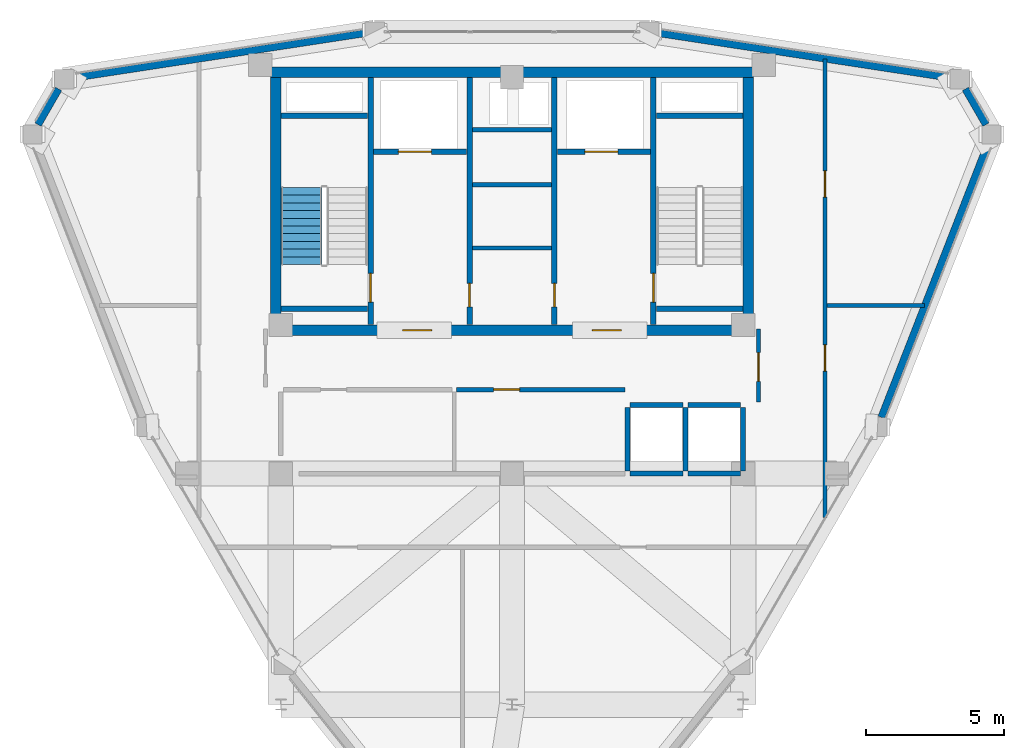
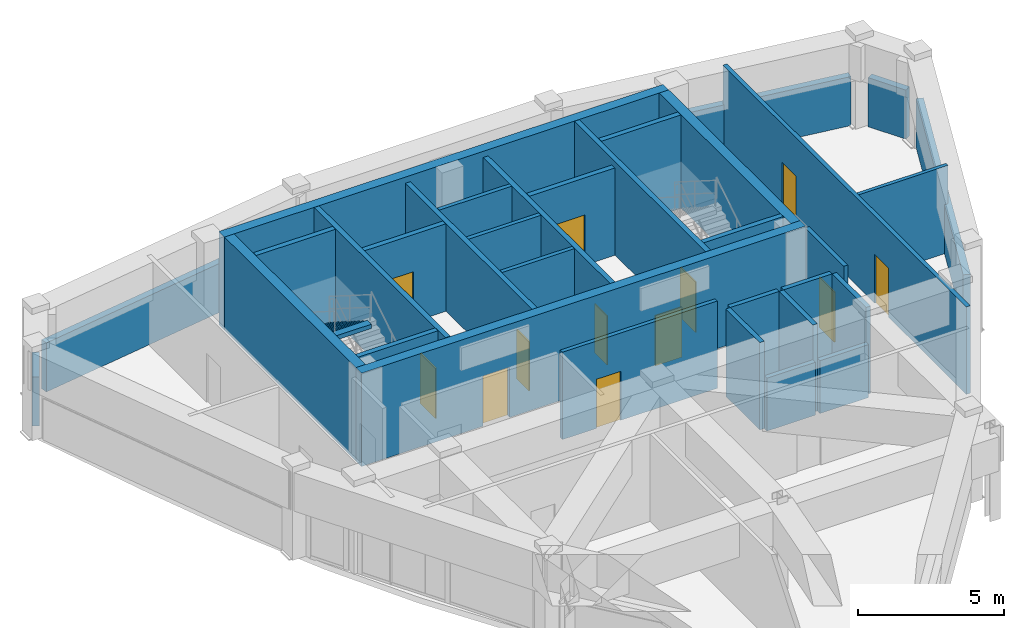
# One storey, part 11 of 13: 33 walls, 12 doors, 1 stair flight, 12 openings, 1 element without a shape of its own.
"""IFC4 building model written with IfcOpenShell, lengths in metres."""

from ifc_helpers import new_model, si_unit, derived_unit, direction, frame, frame_2d, origin, place, context, subcontext, project, spatial, polyline, rectangle, outline, extrude, material, layer, layer_set, type_object, element, fill, aggregate, save


model = new_model("IFC4")

# Units and contexts
model_context = context("Model", 3, precision=1e-05, world=origin(), true_north=direction((0.0, 1.0)))
body_context = subcontext(model_context, "Body", "Model", "MODEL_VIEW")
ifc_project = project(units=[si_unit("LENGTHUNIT", "METRE"), si_unit("AREAUNIT", "SQUARE_METRE"), si_unit("VOLUMEUNIT", "CUBIC_METRE"), si_unit("PLANEANGLEUNIT", "RADIAN"), si_unit("MASSUNIT", "GRAM", prefix="KILO"), derived_unit("THERMALTRANSMITTANCEUNIT", [(si_unit("POWERUNIT", "WATT"), 1), (si_unit("LENGTHUNIT", "METRE"), -2), (si_unit("THERMODYNAMICTEMPERATUREUNIT", "KELVIN"), -1)])], contexts=[model_context])

# Site, building, storey
site_placement = place(None, origin())
site = spatial("IfcSite", under=ifc_project, at=site_placement, CompositionType="ELEMENT")
building_placement = place(site_placement, origin())
building = spatial("IfcBuilding", under=site, at=building_placement, Name="Korsvarv Bourse and Concert Hall", CompositionType="ELEMENT")
storey_placement = place(building_placement, frame((0.0, 0.0, 292.199951171875)))
storey = spatial("IfcBuildingStorey", under=building, at=storey_placement, Name="L76", CompositionType="ELEMENT", Elevation=292.199951171875)

# Wall
ifc_material_1 = material(Name="Concrete C50/60", Category="concrete")
ifc_layer_1 = layer(ifc_material_1, 0.3798828125)
ifc_layer_set_1 = layer_set([ifc_layer_1], Name="Concrete C50/60")
wall_type_1 = type_object("IfcWallType", Name="WL-CORE-380", PredefinedType="SHEAR", material=ifc_layer_set_1)
wall_1_placement = place(storey_placement, frame((27.219970703125, 46.989990234375, 0.0), z_axis=(0.0, 0.0, 1.0), x_axis=(1.0, 0.0, 0.0)))
element("IfcWall", 1, at=wall_1_placement, inside=storey, type_object=wall_type_1, Name="L76 North Core Shear Wall", PredefinedType="SHEAR", context=body_context, shape_type="SweptSolid", body=[
    extrude(rectangle(XDim=17.56005859375, YDim=0.3798828125, at=frame_2d((8.780029296875, 0.0))), origin(), (0.0, 0.0, 1.0), 3.900146484375),
])

# Wall, openings, doors
wall_2_placement = place(storey_placement, frame((27.219970703125, 37.610107421875, 0.0), z_axis=(0.0, 0.0, 1.0), x_axis=(1.0, 0.0, 0.0)))
wall_2 = element("IfcWall", 2, at=wall_2_placement, inside=storey, type_object=wall_type_1, Name="L76 South Core Shear Wall", PredefinedType="SHEAR", context=body_context, shape_type="SweptSolid", body=[
    extrude(rectangle(XDim=17.56005859375, YDim=0.3798828125, at=frame_2d((8.780029296875, 0.0))), origin(), (0.0, 0.0, 1.0), 3.900146484375),
])
opening_1_placement = place(wall_2_placement, frame((4.804931640625, 0.0, 0.0)))
opening_1 = element("IfcOpeningElement", 3, at=opening_1_placement, cuts=wall_2, Name="Opening D-01", PredefinedType="OPENING", context=body_context, shape_type="SweptSolid", body=[
    extrude(rectangle(XDim=1.050048828125, YDim=2.10009765625, at=frame_2d((0.52490234375, 1.050048828125))), frame((0.0, 0.199951171875, 0.0), z_axis=(0.0, -1.0, 0.0), x_axis=(1.0, 0.0, 0.0)), (0.0, 0.0, 1.0), 0.39990234375),
])
opening_2_placement = place(wall_2_placement, frame((11.705078125, 0.0, 0.0)))
opening_2 = element("IfcOpeningElement", 4, at=opening_2_placement, cuts=wall_2, Name="Opening D-01", PredefinedType="OPENING", context=body_context, shape_type="SweptSolid", body=[
    extrude(rectangle(XDim=1.050048828125, YDim=2.10009765625, at=frame_2d((0.52490234375, 1.050048828125))), frame((0.0, 0.199951171875, 0.0), z_axis=(0.0, -1.0, 0.0), x_axis=(1.0, 0.0, 0.0)), (0.0, 0.0, 1.0), 0.39990234375),
])
ifc_material_2 = material(Name="Steel S355 fire door", Category="steel")
door_type_1 = type_object("IfcDoorType", Name="DR-FD60", OperationType="NOTDEFINED", PredefinedType="DOOR", material=ifc_material_2)
door_1_placement = place(opening_1_placement, frame((1.050048828125, 0.0, 0.0), z_axis=(0.0, 0.0, 1.0), x_axis=(-1.0, 0.0, 0.0)))
door_1 = element("IfcDoor", 5, at=door_1_placement, inside=storey, type_object=door_type_1, Name="L76 firefighting lobby fire door DR-L76-FFLW", OperationType="SINGLE_SWING_LEFT", OverallHeight=2.10009765625, OverallWidth=1.050048828125, PredefinedType="DOOR", context=body_context, shape_type="SweptSolid", body=[
    extrude(rectangle(XDim=1.050048828125, YDim=2.10009765625, at=frame_2d((0.52490234375, 1.050048828125))), frame((0.0, 0.02490234375, 0.0), z_axis=(0.0, -1.0, 0.0), x_axis=(1.0, 0.0, 0.0)), (0.0, 0.0, 1.0), 0.050048828125),
])
fill(opening_1, door_1)
door_2_placement = place(opening_2_placement, frame((1.050048828125, 0.0, 0.0), z_axis=(0.0, 0.0, 1.0), x_axis=(-1.0, 0.0, 0.0)))
door_2 = element("IfcDoor", 6, at=door_2_placement, inside=storey, type_object=door_type_1, Name="L76 firefighting lobby fire door DR-L76-FFLE", OperationType="SINGLE_SWING_RIGHT", OverallHeight=2.10009765625, OverallWidth=1.050048828125, PredefinedType="DOOR", context=body_context, shape_type="SweptSolid", body=[
    extrude(rectangle(XDim=1.050048828125, YDim=2.10009765625, at=frame_2d((0.52490234375, 1.050048828125))), frame((0.0, 0.02490234375, 0.0), z_axis=(0.0, -1.0, 0.0), x_axis=(1.0, 0.0, 0.0)), (0.0, 0.0, 1.0), 0.050048828125),
])
fill(opening_2, door_2)

# Walls
for number, where, z_axis, x_axis, name in (
    (7, (27.409912109375, 37.800048828125, 0.0), (0.0, 0.0, 1.0), (0.0, 1.0, 0.0), "L76 West Core Shear Wall"),
    (8, (44.590087890625, 37.800048828125, 0.0), (0.0, 0.0, 1.0), (0.0, 1.0, 0.0), "L76 East Core Shear Wall"),
):
    element("IfcWall", number, at=place(storey_placement, frame(where, z_axis=z_axis, x_axis=x_axis)), inside=storey, type_object=wall_type_1, Name=name, PredefinedType="SHEAR", context=body_context, shape_type="SweptSolid", body=[
        extrude(rectangle(XDim=9.0, YDim=0.3798828125, at=frame_2d((4.5, 0.0))), origin(), (0.0, 0.0, 1.0), 3.900146484375),
    ])

# Wall, opening, door
wall_3_placement = place(storey_placement, frame((30.860107421875, 37.81005859375, 0.0), z_axis=(0.0, 0.0, 1.0), x_axis=(0.0, 1.0, 0.0)))
wall_3 = element("IfcWall", 9, at=wall_3_placement, inside=storey, type_object=wall_type_1, Name="L76 stair shaft structural wall W-L76-ST1-E", PredefinedType="SHEAR", context=body_context, shape_type="SweptSolid", body=[
    extrude(rectangle(XDim=8.97998046875, YDim=0.199951171875, at=frame_2d((4.489990234375, 0.0))), origin(), (0.0, 0.0, 1.0), 3.900146484375),
])
opening_3_placement = place(wall_3_placement, frame((0.820068359375, 0.0, 0.0)))
opening_3 = element("IfcOpeningElement", 10, at=opening_3_placement, cuts=wall_3, Name="Opening D-01", PredefinedType="OPENING", context=body_context, shape_type="SweptSolid", body=[
    extrude(rectangle(XDim=1.050048828125, YDim=2.10009765625, at=frame_2d((0.52490234375, 1.050048828125))), frame((0.0, 0.10986328125, 0.0), z_axis=(0.0, -1.0, 0.0), x_axis=(1.0, 0.0, 0.0)), (0.0, 0.0, 1.0), 0.219970703125),
])
door_3_placement = place(opening_3_placement, origin())
door_3 = element("IfcDoor", 11, at=door_3_placement, inside=storey, type_object=door_type_1, Name="L76 interior door DR-L76-ST1", OperationType="SINGLE_SWING_LEFT", OverallHeight=2.10009765625, OverallWidth=1.050048828125, PredefinedType="DOOR", context=body_context, shape_type="SweptSolid", body=[
    extrude(rectangle(XDim=1.050048828125, YDim=2.10009765625, at=frame_2d((0.52490234375, 1.050048828125))), frame((0.0, 0.02490234375, 0.0), z_axis=(0.0, -1.0, 0.0), x_axis=(1.0, 0.0, 0.0)), (0.0, 0.0, 1.0), 0.050048828125),
])
fill(opening_3, door_3)

# Walls
for number, where, z_axis, x_axis, name in (
    (12, (27.610107421875, 45.39990234375, 0.0), (0.0, 0.0, 1.0), (1.0, 0.0, 0.0), "L76 stair shaft structural wall W-L76-ST1-N"),
    (13, (27.610107421875, 38.39990234375, 0.0), (0.0, 0.0, 1.0), (1.0, 0.0, 0.0), "L76 stair shaft structural wall W-L76-ST1-S"),
):
    element("IfcWall", number, at=place(storey_placement, frame(where, z_axis=z_axis, x_axis=x_axis)), inside=storey, type_object=wall_type_1, Name=name, PredefinedType="SHEAR", context=body_context, shape_type="SweptSolid", body=[
        extrude(rectangle(XDim=3.139892578125, YDim=0.199951171875, at=frame_2d((1.56982421875, 0.0))), origin(), (0.0, 0.0, 1.0), 3.900146484375),
    ])

# Wall, opening, door
wall_4_placement = place(storey_placement, frame((41.139892578125, 37.81005859375, 0.0), z_axis=(0.0, 0.0, 1.0), x_axis=(0.0, 1.0, 0.0)))
wall_4 = element("IfcWall", 14, at=wall_4_placement, inside=storey, type_object=wall_type_1, Name="L76 stair shaft structural wall W-L76-ST2-W", PredefinedType="SHEAR", context=body_context, shape_type="SweptSolid", body=[
    extrude(rectangle(XDim=8.97998046875, YDim=0.199951171875, at=frame_2d((4.489990234375, 0.0))), origin(), (0.0, 0.0, 1.0), 3.900146484375),
])
opening_4_placement = place(wall_4_placement, frame((0.820068359375, 0.0, 0.0)))
opening_4 = element("IfcOpeningElement", 15, at=opening_4_placement, cuts=wall_4, Name="Opening D-01", PredefinedType="OPENING", context=body_context, shape_type="SweptSolid", body=[
    extrude(rectangle(XDim=1.050048828125, YDim=2.10009765625, at=frame_2d((0.52490234375, 1.050048828125))), frame((0.0, 0.10986328125, 0.0), z_axis=(0.0, -1.0, 0.0), x_axis=(1.0, 0.0, 0.0)), (0.0, 0.0, 1.0), 0.219970703125),
])
door_4_placement = place(opening_4_placement, frame((1.050048828125, 0.0, 0.0), z_axis=(0.0, 0.0, 1.0), x_axis=(-1.0, 0.0, 0.0)))
door_4 = element("IfcDoor", 16, at=door_4_placement, inside=storey, type_object=door_type_1, Name="L76 interior door DR-L76-ST2", OperationType="SINGLE_SWING_RIGHT", OverallHeight=2.10009765625, OverallWidth=1.050048828125, PredefinedType="DOOR", context=body_context, shape_type="SweptSolid", body=[
    extrude(rectangle(XDim=1.050048828125, YDim=2.10009765625, at=frame_2d((0.52490234375, 1.050048828125))), frame((0.0, 0.02490234375, 0.0), z_axis=(0.0, -1.0, 0.0), x_axis=(1.0, 0.0, 0.0)), (0.0, 0.0, 1.0), 0.050048828125),
])
fill(opening_4, door_4)

# Walls
for number, where, z_axis, x_axis, name in (
    (17, (41.25, 45.39990234375, 0.0), (0.0, 0.0, 1.0), (1.0, 0.0, 0.0), "L76 stair shaft structural wall W-L76-ST2-N"),
    (18, (41.25, 38.39990234375, 0.0), (0.0, 0.0, 1.0), (1.0, 0.0, 0.0), "L76 stair shaft structural wall W-L76-ST2-S"),
):
    element("IfcWall", number, at=place(storey_placement, frame(where, z_axis=z_axis, x_axis=x_axis)), inside=storey, type_object=wall_type_1, Name=name, PredefinedType="SHEAR", context=body_context, shape_type="SweptSolid", body=[
        extrude(rectangle(XDim=3.139892578125, YDim=0.199951171875, at=frame_2d((1.56982421875, 0.0))), origin(), (0.0, 0.0, 1.0), 3.900146484375),
    ])
ifc_material_3 = material(Name="Insulated aluminium and terracotta crown enclosure wall", Category="concrete")
ifc_layer_2 = layer(ifc_material_3, 0.260009765625)
ifc_layer_set_2 = layer_set([ifc_layer_2], Name="Insulated aluminium and terracotta crown enclosure wall")
wall_type_2 = type_object("IfcWallType", Name="WL-EXT-CRN", PredefinedType="SOLIDWALL", material=ifc_layer_set_2)
wall_5_placement = place(storey_placement, frame((53.22802734375, 45.08251953125, 0.0), z_axis=(0.0, 0.0, 1.0), x_axis=(-0.499910707084, 0.866076950936, 0.0)))
element("IfcWall", 19, at=wall_5_placement, inside=storey, type_object=wall_type_2, Name="L76 terracotta exterior wall EW-L76-CRN01", PredefinedType="SOLIDWALL", context=body_context, shape_type="SweptSolid", body=[
    extrude(rectangle(XDim=1.496826171875, YDim=0.260009765625, at=frame_2d((0.74853515625, 0.0))), origin(), (0.0, 0.0, 1.0), 2.050048828125),
])
for number, where, z_axis, x_axis, name in (
    (20, (51.919677734375, 46.7880859375, 0.0), (0.0, 0.0, 1.0), (-0.988478819852, 0.151359250475, 0.0), "L76 terracotta exterior wall EW-L76-CRN02"),
    (21, (30.656005859375, 48.407470703125, 0.0), (0.0, 0.0, 1.0), (-0.988478819852, -0.151359250475, 0.0), "L76 terracotta exterior wall EW-L76-CRN04"),
):
    element("IfcWall", number, at=place(storey_placement, frame(where, z_axis=z_axis, x_axis=x_axis)), inside=storey, type_object=wall_type_2, Name=name, PredefinedType="SOLIDWALL", context=body_context, shape_type="SweptSolid", body=[
        extrude(rectangle(XDim=10.698974609375, YDim=0.260009765625, at=frame_2d((5.349609375, 0.0))), origin(), (0.0, 0.0, 1.0), 2.050048828125),
    ])
wall_6_placement = place(storey_placement, frame((19.520263671875, 46.37890625, 0.0), z_axis=(0.0, 0.0, 1.0), x_axis=(-0.499910707084, -0.866076950936, 0.0)))
element("IfcWall", 22, at=wall_6_placement, inside=storey, type_object=wall_type_2, Name="L76 terracotta exterior wall EW-L76-CRN05", PredefinedType="SOLIDWALL", context=body_context, shape_type="SweptSolid", body=[
    extrude(rectangle(XDim=1.496826171875, YDim=0.260009765625, at=frame_2d((0.74853515625, 0.0))), origin(), (0.0, 0.0, 1.0), 2.050048828125),
])
wall_7_placement = place(storey_placement, frame((49.42529296875, 34.444580078125, 0.0), z_axis=(0.0, 0.0, 1.0), x_axis=(0.363147184015, 0.931731786912, 0.0)))
element("IfcWall", 23, at=wall_7_placement, inside=storey, type_object=wall_type_2, Name="L76 terracotta exterior wall EW-L76-CRN12", PredefinedType="SOLIDWALL", context=body_context, shape_type="SweptSolid", body=[
    extrude(rectangle(XDim=10.655029296875, YDim=0.260009765625, at=frame_2d((5.32763671875, 0.0))), origin(), (0.0, 0.0, 1.0), 2.050048828125),
])

# Wall, opening, door
ifc_material_4 = material(Name="Reinforced concrete blockwork C35/45 fire wall", Category="concrete")
ifc_layer_3 = layer(ifc_material_4, 0.199951171875)
ifc_layer_set_3 = layer_set([ifc_layer_3], Name="Reinforced concrete blockwork C35/45 fire wall")
wall_type_3 = type_object("IfcWallType", Name="WL-INT-EI120", PredefinedType="PARTITIONING", material=ifc_layer_set_3)
wall_8_placement = place(storey_placement, frame((30.969970703125, 44.10009765625, 0.0), z_axis=(0.0, 0.0, 1.0), x_axis=(1.0, 0.0, 0.0)))
wall_8 = element("IfcWall", 24, at=wall_8_placement, inside=storey, type_object=wall_type_3, Name="L76 interior partition wall W-L76-FF1-S", PredefinedType="PARTITIONING", context=body_context, shape_type="SweptSolid", body=[
    extrude(rectangle(XDim=3.380126953125, YDim=0.199951171875, at=frame_2d((1.68994140625, 0.0))), origin(), (0.0, 0.0, 1.0), 3.650146484375),
])
opening_5_placement = place(wall_8_placement, frame((0.89990234375, 0.0, 0.0)))
opening_5 = element("IfcOpeningElement", 25, at=opening_5_placement, cuts=wall_8, Name="Opening LD-1", PredefinedType="OPENING", context=body_context, shape_type="SweptSolid", body=[
    extrude(rectangle(XDim=1.199951171875, YDim=2.10009765625, at=frame_2d((0.60009765625, 1.050048828125))), frame((0.0, 0.10986328125, 0.0), z_axis=(0.0, -1.0, 0.0), x_axis=(1.0, 0.0, 0.0)), (0.0, 0.0, 1.0), 0.219970703125),
])
ifc_material_5 = material(Name="Stainless Steel S355 firefighting lift landing door", Category="steel")
door_type_2 = type_object("IfcDoorType", Name="DR-LIFT-FF", OperationType="DOUBLE_DOOR_SLIDING", PredefinedType="DOOR", material=ifc_material_5)
door_5_placement = place(opening_5_placement, origin())
door_5 = element("IfcDoor", 26, at=door_5_placement, inside=storey, type_object=door_type_2, Name="L76 lift sliding landing door LD-L76-FF1", OperationType="DOUBLE_DOOR_SLIDING", OverallHeight=2.10009765625, OverallWidth=1.199951171875, PredefinedType="DOOR", context=body_context, shape_type="SweptSolid", body=[
    extrude(rectangle(XDim=1.199951171875, YDim=2.10009765625, at=frame_2d((0.60009765625, 1.050048828125))), frame((0.0, 0.02490234375, 0.0), z_axis=(0.0, -1.0, 0.0), x_axis=(1.0, 0.0, 0.0)), (0.0, 0.0, 1.0), 0.050048828125),
])
fill(opening_5, door_5)

wall_9_placement = place(storey_placement, frame((37.64990234375, 44.10009765625, 0.0), z_axis=(0.0, 0.0, 1.0), x_axis=(1.0, 0.0, 0.0)))
wall_9 = element("IfcWall", 27, at=wall_9_placement, inside=storey, type_object=wall_type_3, Name="L76 interior partition wall W-L76-FF2-S", PredefinedType="PARTITIONING", context=body_context, shape_type="SweptSolid", body=[
    extrude(rectangle(XDim=3.380126953125, YDim=0.199951171875, at=frame_2d((1.68994140625, 0.0))), origin(), (0.0, 0.0, 1.0), 3.650146484375),
])
opening_6_placement = place(wall_9_placement, frame((1.0, 0.0, 0.0)))
opening_6 = element("IfcOpeningElement", 28, at=opening_6_placement, cuts=wall_9, Name="Opening LD-1", PredefinedType="OPENING", context=body_context, shape_type="SweptSolid", body=[
    extrude(rectangle(XDim=1.199951171875, YDim=2.10009765625, at=frame_2d((0.60009765625, 1.050048828125))), frame((0.0, 0.10986328125, 0.0), z_axis=(0.0, -1.0, 0.0), x_axis=(1.0, 0.0, 0.0)), (0.0, 0.0, 1.0), 0.219970703125),
])
door_6_placement = place(opening_6_placement, origin())
door_6 = element("IfcDoor", 29, at=door_6_placement, inside=storey, type_object=door_type_2, Name="L76 lift sliding landing door LD-L76-FF2", OperationType="DOUBLE_DOOR_SLIDING", OverallHeight=2.10009765625, OverallWidth=1.199951171875, PredefinedType="DOOR", context=body_context, shape_type="SweptSolid", body=[
    extrude(rectangle(XDim=1.199951171875, YDim=2.10009765625, at=frame_2d((0.60009765625, 1.050048828125))), frame((0.0, 0.02490234375, 0.0), z_axis=(0.0, -1.0, 0.0), x_axis=(1.0, 0.0, 0.0)), (0.0, 0.0, 1.0), 0.050048828125),
])
fill(opening_6, door_6)

wall_10_placement = place(storey_placement, frame((34.4599609375, 37.81005859375, 0.0), z_axis=(0.0, 0.0, 1.0), x_axis=(0.0, 1.0, 0.0)))
wall_10 = element("IfcWall", 30, at=wall_10_placement, inside=storey, type_object=wall_type_3, Name="L76 interior partition wall W-L76-CSB-W", PredefinedType="PARTITIONING", context=body_context, shape_type="SweptSolid", body=[
    extrude(rectangle(XDim=8.97998046875, YDim=0.199951171875, at=frame_2d((4.489990234375, 0.0))), origin(), (0.0, 0.0, 1.0), 3.650146484375),
])
opening_7_placement = place(wall_10_placement, frame((0.64990234375, 0.0, 0.0)))
opening_7 = element("IfcOpeningElement", 31, at=opening_7_placement, cuts=wall_10, Name="Opening D-05", PredefinedType="OPENING", context=body_context, shape_type="SweptSolid", body=[
    extrude(rectangle(XDim=0.85009765625, YDim=2.050048828125, at=frame_2d((0.425048828125, 1.02490234375))), frame((0.0, 0.10986328125, 0.0), z_axis=(0.0, -1.0, 0.0), x_axis=(1.0, 0.0, 0.0)), (0.0, 0.0, 1.0), 0.219970703125),
])
door_type_3 = type_object("IfcDoorType", Name="DR-FD60-850X2050", OperationType="NOTDEFINED", PredefinedType="DOOR", material=ifc_material_2)
door_7_placement = place(opening_7_placement, frame((0.85009765625, 0.0, 0.0), z_axis=(0.0, 0.0, 1.0), x_axis=(-1.0, 0.0, 0.0)))
door_7 = element("IfcDoor", 32, at=door_7_placement, inside=storey, type_object=door_type_3, Name="L76 interior door DR-L76-CSB1", OperationType="SINGLE_SWING_LEFT", OverallHeight=2.050048828125, OverallWidth=0.85009765625, PredefinedType="DOOR", context=body_context, shape_type="SweptSolid", body=[
    extrude(rectangle(XDim=0.85009765625, YDim=2.050048828125, at=frame_2d((0.425048828125, 1.02490234375))), frame((0.0, 0.02490234375, 0.0), z_axis=(0.0, -1.0, 0.0), x_axis=(1.0, 0.0, 0.0)), (0.0, 0.0, 1.0), 0.050048828125),
])
fill(opening_7, door_7)

wall_11_placement = place(storey_placement, frame((37.5400390625, 37.81005859375, 0.0), z_axis=(0.0, 0.0, 1.0), x_axis=(0.0, 1.0, 0.0)))
wall_11 = element("IfcWall", 33, at=wall_11_placement, inside=storey, type_object=wall_type_3, Name="L76 interior partition wall W-L76-CSB-E", PredefinedType="PARTITIONING", context=body_context, shape_type="SweptSolid", body=[
    extrude(rectangle(XDim=8.97998046875, YDim=0.199951171875, at=frame_2d((4.489990234375, 0.0))), origin(), (0.0, 0.0, 1.0), 3.650146484375),
])
opening_8_placement = place(wall_11_placement, frame((0.64990234375, 0.0, 0.0)))
opening_8 = element("IfcOpeningElement", 34, at=opening_8_placement, cuts=wall_11, Name="Opening D-05", PredefinedType="OPENING", context=body_context, shape_type="SweptSolid", body=[
    extrude(rectangle(XDim=0.85009765625, YDim=2.050048828125, at=frame_2d((0.425048828125, 1.02490234375))), frame((0.0, 0.10986328125, 0.0), z_axis=(0.0, -1.0, 0.0), x_axis=(1.0, 0.0, 0.0)), (0.0, 0.0, 1.0), 0.219970703125),
])
door_8_placement = place(opening_8_placement, origin())
door_8 = element("IfcDoor", 35, at=door_8_placement, inside=storey, type_object=door_type_3, Name="L76 interior door DR-L76-CSB2", OperationType="SINGLE_SWING_RIGHT", OverallHeight=2.050048828125, OverallWidth=0.85009765625, PredefinedType="DOOR", context=body_context, shape_type="SweptSolid", body=[
    extrude(rectangle(XDim=0.85009765625, YDim=2.050048828125, at=frame_2d((0.425048828125, 1.02490234375))), frame((0.0, 0.02490234375, 0.0), z_axis=(0.0, -1.0, 0.0), x_axis=(1.0, 0.0, 0.0)), (0.0, 0.0, 1.0), 0.050048828125),
])
fill(opening_8, door_8)

# Walls
ifc_material_6 = material(Name="Double-stud fire-rated acoustic partition", Category="gypsum")
ifc_layer_4 = layer(ifc_material_6, 0.159912109375)
ifc_layer_set_4 = layer_set([ifc_layer_4], Name="Double-stud fire-rated acoustic partition")
wall_type_4 = type_object("IfcWallType", Name="WL-INT-EI60", PredefinedType="PARTITIONING", material=ifc_layer_set_4)
for number, where, z_axis, x_axis, name in (
    (36, (34.570068359375, 40.60009765625, 0.0), (0.0, 0.0, 1.0), (1.0, 0.0, 0.0), "L76 interior partition wall W-L76-K1"),
    (37, (34.570068359375, 42.89990234375, 0.0), (0.0, 0.0, 1.0), (1.0, 0.0, 0.0), "L76 interior partition wall W-L76-K2"),
    (38, (34.570068359375, 44.89990234375, 0.0), (0.0, 0.0, 1.0), (1.0, 0.0, 0.0), "L76 interior partition wall W-L76-K3"),
):
    element("IfcWall", number, at=place(storey_placement, frame(where, z_axis=z_axis, x_axis=x_axis)), inside=storey, type_object=wall_type_4, Name=name, PredefinedType="PARTITIONING", context=body_context, shape_type="SweptSolid", body=[
        extrude(rectangle(XDim=2.85986328125, YDim=0.159912109375, at=frame_2d((1.429931640625, 0.0))), origin(), (0.0, 0.0, 1.0), 3.650146484375),
    ])

# Wall, opening, door
wall_12_placement = place(storey_placement, frame((33.97998046875, 35.449951171875, 0.0), z_axis=(0.0, 0.0, 1.0), x_axis=(1.0, 0.0, 0.0)))
wall_12 = element("IfcWall", 39, at=wall_12_placement, inside=storey, type_object=wall_type_4, Name="L76 interior partition wall W-L76-FRD-N2", PredefinedType="PARTITIONING", context=body_context, shape_type="SweptSolid", body=[
    extrude(rectangle(XDim=6.1201171875, YDim=0.159912109375, at=frame_2d((3.06005859375, 0.0))), origin(), (0.0, 0.0, 1.0), 3.650146484375),
])
opening_9_placement = place(wall_12_placement, frame((1.35009765625, 0.0, 0.0)))
opening_9 = element("IfcOpeningElement", 40, at=opening_9_placement, cuts=wall_12, Name="Opening D-03", PredefinedType="OPENING", context=body_context, shape_type="SweptSolid", body=[
    extrude(rectangle(XDim=0.949951171875, YDim=2.050048828125, at=frame_2d((0.47509765625, 1.02490234375))), frame((0.0, 0.08984375, 0.0), z_axis=(0.0, -1.0, 0.0), x_axis=(1.0, 0.0, 0.0)), (0.0, 0.0, 1.0), 0.179931640625),
])
ifc_material_7 = material(Name="Nordic oak acoustic office door", Category="wood")
door_type_4 = type_object("IfcDoorType", Name="DR-INT-1", OperationType="NOTDEFINED", PredefinedType="DOOR", material=ifc_material_7)
door_9_placement = place(opening_9_placement, origin())
door_9 = element("IfcDoor", 41, at=door_9_placement, inside=storey, type_object=door_type_4, Name="L76 interior door DR-L76-FRDN2", OperationType="SINGLE_SWING_RIGHT", OverallHeight=2.050048828125, OverallWidth=0.949951171875, PredefinedType="DOOR", context=body_context, shape_type="SweptSolid", body=[
    extrude(rectangle(XDim=0.949951171875, YDim=2.050048828125, at=frame_2d((0.47509765625, 1.02490234375))), frame((0.0, 0.02490234375, 0.0), z_axis=(0.0, -1.0, 0.0), x_axis=(1.0, 0.0, 0.0)), (0.0, 0.0, 1.0), 0.050048828125),
])
fill(opening_9, door_9)

wall_13_placement = place(storey_placement, frame((44.9599609375, 35.0, 0.0), z_axis=(0.0, 0.0, 1.0), x_axis=(0.0, 1.0, 0.0)))
wall_13 = element("IfcWall", 42, at=wall_13_placement, inside=storey, type_object=wall_type_4, Name="L76 interior partition wall W-L76-LOB-E", PredefinedType="PARTITIONING", context=body_context, shape_type="SweptSolid", body=[
    extrude(rectangle(XDim=2.64990234375, YDim=0.159912109375, at=frame_2d((1.324951171875, 0.0))), origin(), (0.0, 0.0, 1.0), 3.650146484375),
])
opening_10_placement = place(wall_13_placement, frame((0.75, 0.0, 0.0)))
opening_10 = element("IfcOpeningElement", 43, at=opening_10_placement, cuts=wall_13, Name="Opening D-01", PredefinedType="OPENING", context=body_context, shape_type="SweptSolid", body=[
    extrude(rectangle(XDim=1.050048828125, YDim=2.10009765625, at=frame_2d((0.52490234375, 1.050048828125))), frame((0.0, 0.08984375, 0.0), z_axis=(0.0, -1.0, 0.0), x_axis=(1.0, 0.0, 0.0)), (0.0, 0.0, 1.0), 0.179931640625),
])
door_10_placement = place(opening_10_placement, origin())
door_10 = element("IfcDoor", 44, at=door_10_placement, inside=storey, type_object=door_type_1, Name="L76 interior door DR-L76-LOBE", OperationType="SINGLE_SWING_RIGHT", OverallHeight=2.10009765625, OverallWidth=1.050048828125, PredefinedType="DOOR", context=body_context, shape_type="SweptSolid", body=[
    extrude(rectangle(XDim=1.050048828125, YDim=2.10009765625, at=frame_2d((0.52490234375, 1.050048828125))), frame((0.0, 0.02490234375, 0.0), z_axis=(0.0, -1.0, 0.0), x_axis=(1.0, 0.0, 0.0)), (0.0, 0.0, 1.0), 0.050048828125),
])
fill(opening_10, door_10)

# Wall, openings, doors
wall_14_placement = place(storey_placement, frame((47.375, 30.79833984375, 0.0), z_axis=(0.0, 0.0, 1.0), x_axis=(0.0, 1.0, 0.0)))
wall_14 = element("IfcWall", 45, at=wall_14_placement, inside=storey, type_object=wall_type_4, Name="L76 interior partition wall W-L76-CCOR-02", PredefinedType="PARTITIONING", context=body_context, shape_type="SweptSolid", body=[
    extrude(rectangle(XDim=16.665771484375, YDim=0.159912109375, at=frame_2d((8.3330078125, 0.0))), origin(), (0.0, 0.0, 1.0), 3.650146484375),
])
opening_11_placement = place(wall_14_placement, frame((5.3291015625, 0.0, 0.0)))
opening_11 = element("IfcOpeningElement", 46, at=opening_11_placement, cuts=wall_14, Name="Opening D-02", PredefinedType="OPENING", context=body_context, shape_type="SweptSolid", body=[
    extrude(rectangle(XDim=0.949951171875, YDim=2.050048828125, at=frame_2d((0.47509765625, 1.02490234375))), frame((0.0, 0.08984375, 0.0), z_axis=(0.0, -1.0, 0.0), x_axis=(1.0, 0.0, 0.0)), (0.0, 0.0, 1.0), 0.179931640625),
])
opening_12_placement = place(wall_14_placement, frame((11.65380859375, 0.0, 0.0)))
opening_12 = element("IfcOpeningElement", 47, at=opening_12_placement, cuts=wall_14, Name="Opening D-02", PredefinedType="OPENING", context=body_context, shape_type="SweptSolid", body=[
    extrude(rectangle(XDim=0.949951171875, YDim=2.050048828125, at=frame_2d((0.47509765625, 1.02490234375))), frame((0.0, 0.08984375, 0.0), z_axis=(0.0, -1.0, 0.0), x_axis=(1.0, 0.0, 0.0)), (0.0, 0.0, 1.0), 0.179931640625),
])
ifc_material_8 = material(Name="Timber and steel acoustic fire door", Category="wood")
door_type_5 = type_object("IfcDoorType", Name="DR-FD30", OperationType="NOTDEFINED", PredefinedType="DOOR", material=ifc_material_8)
door_11_placement = place(opening_11_placement, origin())
door_11 = element("IfcDoor", 48, at=door_11_placement, inside=storey, type_object=door_type_5, Name="L76 interior door DR-L76-CCOR-CPL21", OperationType="SINGLE_SWING_LEFT", OverallHeight=2.050048828125, OverallWidth=0.949951171875, PredefinedType="DOOR", context=body_context, shape_type="SweptSolid", body=[
    extrude(rectangle(XDim=0.949951171875, YDim=2.050048828125, at=frame_2d((0.47509765625, 1.02490234375))), frame((0.0, 0.02490234375, 0.0), z_axis=(0.0, -1.0, 0.0), x_axis=(1.0, 0.0, 0.0)), (0.0, 0.0, 1.0), 0.050048828125),
])
fill(opening_11, door_11)
door_12_placement = place(opening_12_placement, origin())
door_12 = element("IfcDoor", 49, at=door_12_placement, inside=storey, type_object=door_type_5, Name="L76 interior door DR-L76-CCOR-RM22", OperationType="SINGLE_SWING_RIGHT", OverallHeight=2.050048828125, OverallWidth=0.949951171875, PredefinedType="DOOR", context=body_context, shape_type="SweptSolid", body=[
    extrude(rectangle(XDim=0.949951171875, YDim=2.050048828125, at=frame_2d((0.47509765625, 1.02490234375))), frame((0.0, 0.02490234375, 0.0), z_axis=(0.0, -1.0, 0.0), x_axis=(1.0, 0.0, 0.0)), (0.0, 0.0, 1.0), 0.050048828125),
])
fill(opening_12, door_12)

# Walls
ifc_material_9 = material(Name="Gypsum-clad autoclaved concrete shaft wall C30/37", Category="concrete")
ifc_layer_5 = layer(ifc_material_9, 0.179931640625)
ifc_layer_set_5 = layer_set([ifc_layer_5], Name="Gypsum-clad autoclaved concrete shaft wall C30/37")
wall_type_5 = type_object("IfcWallType", Name="WL-INT-EI90", PredefinedType="PARTITIONING", material=ifc_layer_set_5)
wall_15_placement = place(storey_placement, frame((40.2900390625, 34.89990234375, 0.0), z_axis=(0.0, 0.0, 1.0), x_axis=(1.0, 0.0, 0.0)))
element("IfcWall", 50, at=wall_15_placement, inside=storey, type_object=wall_type_5, Name="L76 interior partition wall W-L76-SHFN-PO1", PredefinedType="PARTITIONING", context=body_context, shape_type="SweptSolid", body=[
    extrude(rectangle(XDim=1.919921875, YDim=0.179931640625, at=frame_2d((0.9599609375, 0.0))), origin(), (0.0, 0.0, 1.0), 3.650146484375),
])
wall_16_placement = place(storey_placement, frame((40.2900390625, 32.39990234375, 0.0), z_axis=(0.0, 0.0, 1.0), x_axis=(1.0, 0.0, 0.0)))
element("IfcWall", 51, at=wall_16_placement, inside=storey, type_object=wall_type_5, Name="L76 interior partition wall W-L76-SHFS-PO1", PredefinedType="PARTITIONING", context=body_context, shape_type="SweptSolid", body=[
    extrude(rectangle(XDim=1.919921875, YDim=0.179931640625, at=frame_2d((0.9599609375, 0.0))), origin(), (0.0, 0.0, 1.0), 2.2099609375),
])
wall_17_placement = place(storey_placement, frame((40.199951171875, 32.489990234375, 0.0), z_axis=(0.0, 0.0, 1.0), x_axis=(0.0, 1.0, 0.0)))
element("IfcWall", 52, at=wall_17_placement, inside=storey, type_object=wall_type_5, Name="L76 interior partition wall W-L76-SHFW-PO1", PredefinedType="PARTITIONING", context=body_context, shape_type="SweptSolid", body=[
    extrude(rectangle(XDim=2.320068359375, YDim=0.179931640625, at=frame_2d((1.16015625, 0.0))), origin(), (0.0, 0.0, 1.0), 3.650146484375),
])
wall_18_placement = place(storey_placement, frame((42.389892578125, 34.89990234375, 0.0), z_axis=(0.0, 0.0, 1.0), x_axis=(1.0, 0.0, 0.0)))
element("IfcWall", 53, at=wall_18_placement, inside=storey, type_object=wall_type_5, Name="L76 interior partition wall W-L76-SHFN-PO2", PredefinedType="PARTITIONING", context=body_context, shape_type="SweptSolid", body=[
    extrude(rectangle(XDim=1.920166015625, YDim=0.179931640625, at=frame_2d((0.9599609375, 0.0))), origin(), (0.0, 0.0, 1.0), 3.650146484375),
])
wall_19_placement = place(storey_placement, frame((42.389892578125, 32.39990234375, 0.0), z_axis=(0.0, 0.0, 1.0), x_axis=(1.0, 0.0, 0.0)))
element("IfcWall", 54, at=wall_19_placement, inside=storey, type_object=wall_type_5, Name="L76 interior partition wall W-L76-SHFS-PO2", PredefinedType="PARTITIONING", context=body_context, shape_type="SweptSolid", body=[
    extrude(rectangle(XDim=1.920166015625, YDim=0.179931640625, at=frame_2d((0.9599609375, 0.0))), origin(), (0.0, 0.0, 1.0), 2.2099609375),
])
for number, where, z_axis, x_axis, name in (
    (55, (42.300048828125, 32.489990234375, 0.0), (0.0, 0.0, 1.0), (0.0, 1.0, 0.0), "L76 interior partition wall W-L76-SHFW-PO2"),
    (56, (44.39990234375, 32.489990234375, 0.0), (0.0, 0.0, 1.0), (0.0, 1.0, 0.0), "L76 interior partition wall W-L76-SHFE-END"),
):
    element("IfcWall", number, at=place(storey_placement, frame(where, z_axis=z_axis, x_axis=x_axis)), inside=storey, type_object=wall_type_5, Name=name, PredefinedType="PARTITIONING", context=body_context, shape_type="SweptSolid", body=[
        extrude(rectangle(XDim=2.320068359375, YDim=0.179931640625, at=frame_2d((1.16015625, 0.0))), origin(), (0.0, 0.0, 1.0), 3.650146484375),
    ])
ifc_material_10 = material(Name="Insulated steel-stud office acoustic partition", Category="gypsum")
ifc_layer_6 = layer(ifc_material_10, 0.139892578125)
ifc_layer_set_6 = layer_set([ifc_layer_6], Name="Insulated steel-stud office acoustic partition")
wall_type_6 = type_object("IfcWallType", Name="WL-INT-P1", PredefinedType="PARTITIONING", material=ifc_layer_set_6)
wall_20_placement = place(storey_placement, frame((47.45703125, 38.5048828125, 0.0), z_axis=(0.0, 0.0, 1.0), x_axis=(1.0, 0.0, 0.0)))
element("IfcWall", 57, at=wall_20_placement, inside=storey, type_object=wall_type_6, Name="L76 interior partition wall W-L76-CCOR-08", PredefinedType="PARTITIONING", context=body_context, shape_type="SweptSolid", body=[
    extrude(rectangle(XDim=3.53076171875, YDim=0.139892578125, at=frame_2d((1.765380859375, 0.0))), origin(), (0.0, 0.0, 1.0), 3.650146484375),
])

# Stair, stair flight
ifc_material_11 = material(Name="Precast concrete C45/55", Category="concrete")
stair_type = type_object("IfcStairType", Name="STR-TYPE-03", PredefinedType="HALF_TURN_STAIR", material=ifc_material_11)
stair_placement = place(storey_placement, origin())
stair = element("IfcStair", 58, at=stair_placement, inside=storey, type_object=stair_type, Name="L76 Tower West Exit Stair ST-T1", PredefinedType="HALF_TURN_STAIR")
stair_flight_type = type_object("IfcStairFlightType", Name="FLT-TYPE-03", PredefinedType="STRAIGHT", material=ifc_material_11)
stair_flight_placement = place(storey_placement, frame((28.35009765625, 42.800048828125, 1.949951171875), z_axis=(0.0, 0.0, 1.0), x_axis=(0.0, -1.0, 0.0)))
stair_flight = element("IfcStairFlight", 59, at=stair_flight_placement, type_object=stair_flight_type, Name="ST-T1 flight 2", NumberOfRisers=11, NumberOfTreads=10, PredefinedType="STRAIGHT", RiserHeight=0.177272727, TreadLength=0.28, context=body_context, shape_type="SweptSolid", body=[
    extrude(outline(polyline([(0.0, 0.0), (0.0, 0.17724609375), (0.280029296875, 0.17724609375), (0.280029296875, 0.3544921875), (0.56005859375, 0.3544921875), (0.56005859375, 0.53173828125), (0.840087890625, 0.53173828125), (0.840087890625, 0.708984375), (1.1201171875, 0.708984375), (1.1201171875, 0.886474609375), (1.39990234375, 0.886474609375), (1.39990234375, 1.063720703125), (1.679931640625, 1.063720703125), (1.679931640625, 1.240966796875), (1.9599609375, 1.240966796875), (1.9599609375, 1.418212890625), (2.239990234375, 1.418212890625), (2.239990234375, 1.595458984375), (2.52001953125, 1.595458984375), (2.52001953125, 1.772705078125), (2.800048828125, 1.772705078125), (2.800048828125, 1.949951171875), (2.800048828125, 1.59521484375), (0.2802734375, 0.0), (0.0, 0.0)])), frame((0.0, 0.75, 0.0), z_axis=(0.0, -1.0, 0.0), x_axis=(1.0, 0.0, 0.0)), (0.0, 0.0, 1.0), 1.5),
])
aggregate(stair, [stair_flight])

save(model, "model.ifc")
